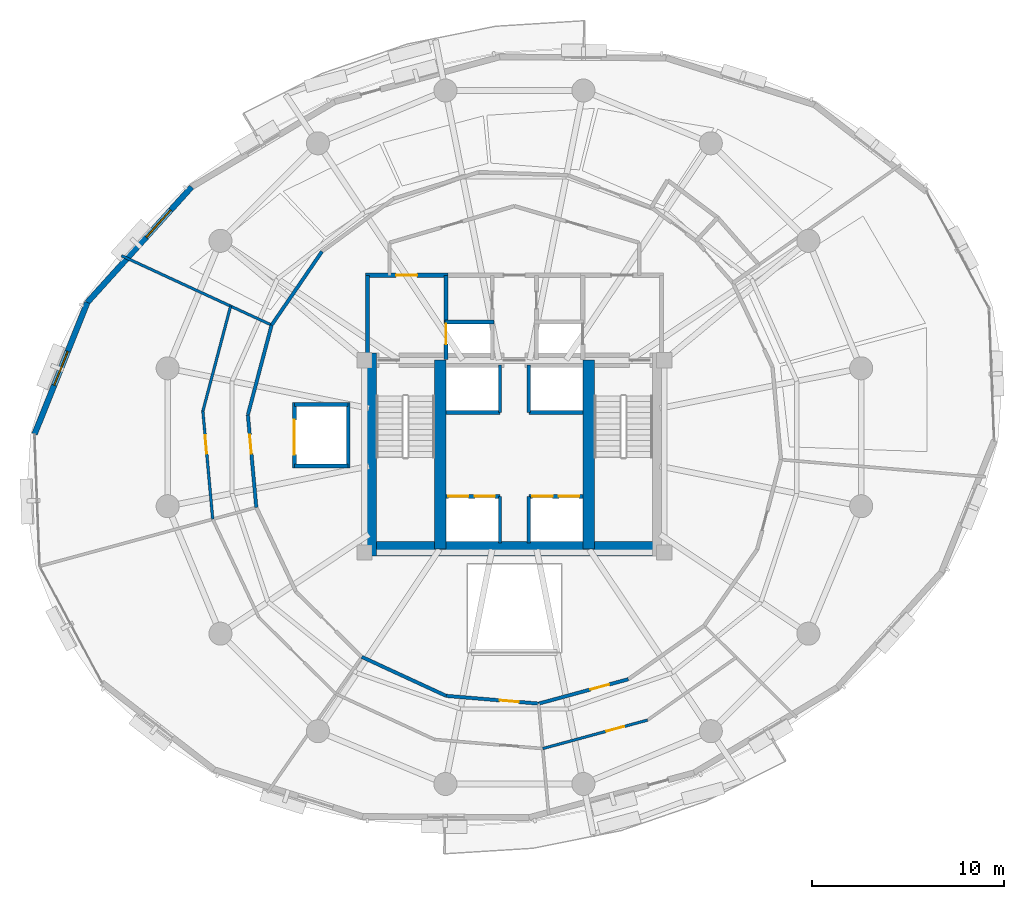
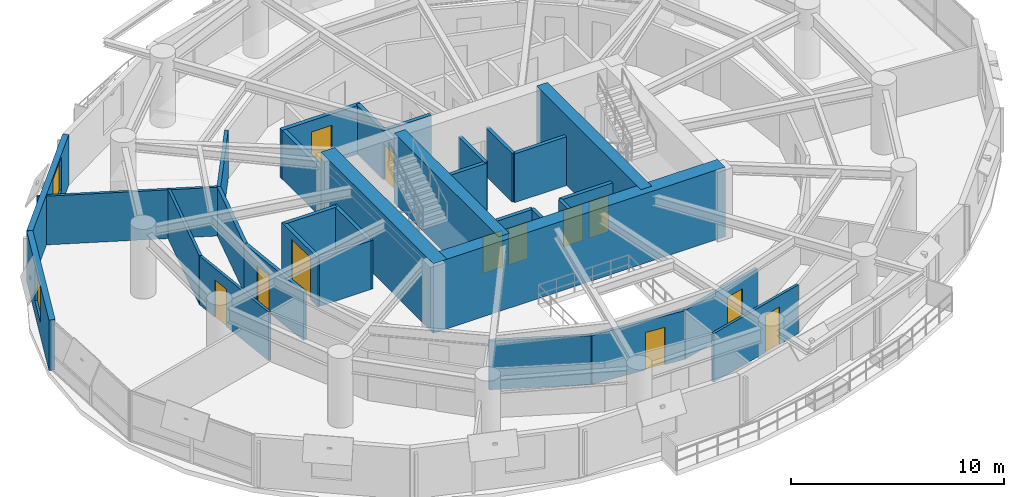
# One storey, part 10 of 15: 32 walls, 12 doors, 2 windows, 14 openings.
"""IFC4 building model written with IfcOpenShell, lengths in metres."""

import ifcopenshell
import ifcopenshell.guid

model = None  # the IFC model being written
_history = None  # IfcOwnerHistory: only IFC2X3 demands one
_inside = {}  # id of a spatial element -> (the spatial element, [elements in it])
_under = {}  # id of a project, library or spatial element -> (it, [spatial elements below it])
_declared = {}  # id of a project -> (the project, [libraries it declares])
_typed = {}  # id of a type object -> (the type object, [elements of that type])
_made_of = {}  # id of a material, layer set ... -> (it, [elements and type objects made of it])


def new_model(schema):
    """Start an empty IFC model of exactly this schema.

    Asked for "IFC4X3", IfcOpenShell would pick the latest addendum, in which some entities
    have other attributes; the version numbers below select the first issue.
    IFC2X3 requires an IfcOwnerHistory on every rooted entity: one is made here for all.
    """
    global model, _history
    if schema == "IFC4X3":
        model = ifcopenshell.file(schema_version=(4, 3, 0, 0))
    else:
        model = ifcopenshell.file(schema=schema)
    _inside.clear()
    _under.clear()
    _declared.clear()
    _typed.clear()
    _made_of.clear()
    _history = None
    if model.schema == "IFC2X3":
        org = make("IfcOrganization", Name="unknown")
        user = make(
            "IfcPersonAndOrganization",
            ThePerson=make("IfcPerson", FamilyName="unknown"),
            TheOrganization=org,
        )
        app = make(
            "IfcApplication",
            ApplicationDeveloper=org,
            Version="unknown",
            ApplicationFullName="unknown",
            ApplicationIdentifier="unknown",
        )
        _history = make(
            "IfcOwnerHistory",
            OwningUser=user,
            OwningApplication=app,
            ChangeAction="ADDED",
            CreationDate=0,
        )
    return model


def make(cls, **values):
    """One entity of the class cls with the attributes given. An attribute that is None is left unset."""
    return model.create_entity(
        cls, **{name: value for name, value in values.items() if value is not None}
    )


def rooted(cls, **values):
    """An entity with a GlobalId (a new one), such as an element, a storey or a relation."""
    return make(cls, GlobalId=ifcopenshell.guid.new(), OwnerHistory=_history, **values)


def si_unit(unit_type, name, prefix=None):
    """IfcSIUnit, for example si_unit("LENGTHUNIT", "METRE", prefix="MILLI")."""
    return make("IfcSIUnit", UnitType=unit_type, Prefix=prefix, Name=name)


def assignment(units):
    """IfcUnitAssignment: the units of a project."""
    return None if units is None else make("IfcUnitAssignment", Units=units)


def point(xyz):
    """IfcCartesianPoint."""
    return None if xyz is None else make("IfcCartesianPoint", Coordinates=xyz)


def direction(xyz):
    """IfcDirection."""
    return None if xyz is None else make("IfcDirection", DirectionRatios=xyz)


def frame(location, z_axis=None, x_axis=None):
    """IfcAxis2Placement3D, a coordinate frame: its origin and axes. An axis left out is left unset."""
    return make(
        "IfcAxis2Placement3D",
        Location=point(location),
        Axis=direction(z_axis),
        RefDirection=direction(x_axis),
    )


def frame_2d(location, x_axis=None):
    """IfcAxis2Placement2D, a coordinate frame in the plane: its origin and x axis."""
    return make(
        "IfcAxis2Placement2D", Location=point(location), RefDirection=direction(x_axis)
    )


def origin():
    """The frame at (0, 0, 0) with its axes left unset."""
    return frame((0.0, 0.0, 0.0))


def place(relative_to, where):
    """IfcLocalPlacement: puts the frame where relative to a parent placement (None: the world)."""
    return make(
        "IfcLocalPlacement", PlacementRelTo=relative_to, RelativePlacement=where
    )


def context(
    kind, dimensions, precision=None, world=None, true_north=None, identifier=None
):
    """IfcGeometricRepresentationContext, for example the 3D "Model" context."""
    return make(
        "IfcGeometricRepresentationContext",
        ContextIdentifier=identifier,
        ContextType=kind,
        CoordinateSpaceDimension=dimensions,
        Precision=precision,
        WorldCoordinateSystem=world,
        TrueNorth=true_north,
    )


def subcontext(parent, identifier, kind, view, scale=None):
    """IfcGeometricRepresentationSubContext, for example "Body" below "Model"."""
    return make(
        "IfcGeometricRepresentationSubContext",
        ContextIdentifier=identifier,
        ContextType=kind,
        ParentContext=parent,
        TargetScale=scale,
        TargetView=view,
    )


def project(units=None, contexts=None):
    """IfcProject with its units and contexts."""
    return rooted(
        "IfcProject",
        Name="project",
        RepresentationContexts=contexts,
        UnitsInContext=assignment(units),
    )


def spatial(cls, under=None, at=None, **own):
    """A site, building, storey or space (cls), placed at a placement, below another one or the project."""
    s = rooted(cls, ObjectPlacement=at, **own)
    if under is not None:
        _under.setdefault(under.id(), (under, []))[1].append(s)
    return s


def profile(cls, at=None, kind="AREA", **sizes):
    """A parametric profile (cls). Its sizes go by their IFC names, for example OverallWidth=200.0."""
    return make(cls, ProfileType=kind, Position=at, **sizes)


def rectangle(**sizes):
    """IfcRectangleProfileDef."""
    return profile("IfcRectangleProfileDef", **sizes)


def extrude(swept, where, along, depth):
    """IfcExtrudedAreaSolid: the profile swept, set in the frame where, extruded along a direction by depth."""
    return make(
        "IfcExtrudedAreaSolid",
        SweptArea=swept,
        Position=where,
        ExtrudedDirection=direction(along),
        Depth=depth,
    )


def shape(context_of_items, identifier, shape_type, items):
    """IfcShapeRepresentation: the items that make up one representation, for example the "Body"."""
    return make(
        "IfcShapeRepresentation",
        ContextOfItems=context_of_items,
        RepresentationIdentifier=identifier,
        RepresentationType=shape_type,
        Items=items,
    )


def material(Name=None, Category=None):
    """IfcMaterial."""
    return make("IfcMaterial", Name=Name, Category=Category)


def layer(
    of_material, thickness, ventilated=None, Name=None, Category=None, Priority=None
):
    """IfcMaterialLayer: one layer of a wall or slab, of a material (None: an air gap)."""
    return make(
        "IfcMaterialLayer",
        Material=of_material,
        LayerThickness=thickness,
        IsVentilated=ventilated,
        Name=Name,
        Category=Category,
        Priority=Priority,
    )


def layer_set(layers, Name=None):
    """IfcMaterialLayerSet."""
    return make("IfcMaterialLayerSet", MaterialLayers=layers, LayerSetName=Name)


def made_of(thing, what):
    """Note that an element or type object is made of a material, layer set ...; save() writes the relation."""
    if what is not None:
        _made_of.setdefault(what.id(), (what, []))[1].append(thing)
    return thing


def type_object(cls, material=None, **own):
    """A type object (cls), such as IfcWallType, which elements share."""
    return made_of(rooted(cls, **own), material)


def element(
    cls,
    number,
    at=None,
    inside=None,
    cuts=None,
    type_object=None,
    material=None,
    context=None,
    identifier="Body",
    shape_type=None,
    held_by="IfcProductDefinitionShape",
    body=None,
    shapes=None,
    **own,
):
    """One element of the class cls, such as IfcWall. Its Tag is "e" and its number.

    at: its placement. inside: the storey or other place that contains it. cuts: it is an
    opening in that element (IfcRelVoidsElement). A single representation is given by context,
    identifier, shape_type and body (its items); several are given by shapes. held_by: the class
    of the entity that holds the representations. save() writes the other relations.
    """
    e = rooted(cls, Tag="e%d" % number, ObjectPlacement=at, **own)
    if body is not None:
        shapes = [shape(context, identifier, shape_type, body)]
    if shapes is not None:
        e.Representation = make(held_by, Representations=shapes)
    if inside is not None:
        _inside.setdefault(inside.id(), (inside, []))[1].append(e)
    if cuts is not None:
        rooted(
            "IfcRelVoidsElement", RelatingBuildingElement=cuts, RelatedOpeningElement=e
        )
    if type_object is not None:
        _typed.setdefault(type_object.id(), (type_object, []))[1].append(e)
    return made_of(e, material)


def fill(opening, filler):
    """IfcRelFillsElement: the door or window that sits in an opening."""
    return rooted(
        "IfcRelFillsElement",
        RelatingOpeningElement=opening,
        RelatedBuildingElement=filler,
    )


def aggregate(whole, parts):
    """IfcRelAggregates: a whole, such as a stair, and the parts it consists of."""
    return rooted("IfcRelAggregates", RelatingObject=whole, RelatedObjects=parts)


def save(model, path):
    """Write the relations noted so far, then the file.

    IfcRelAggregates (storeys below a building ...), IfcRelContainedInSpatialStructure (elements
    in a storey), IfcRelDefinesByType, IfcRelAssociatesMaterial and IfcRelDeclares: one each for
    every whole, place, type object, material and project.
    """
    for whole, parts in _under.values():
        aggregate(whole, parts)
    for where, things in _inside.values():
        rooted(
            "IfcRelContainedInSpatialStructure",
            RelatedElements=things,
            RelatingStructure=where,
        )
    for kind, things in _typed.values():
        rooted("IfcRelDefinesByType", RelatedObjects=things, RelatingType=kind)
    for what, things in _made_of.values():
        rooted("IfcRelAssociatesMaterial", RelatedObjects=things, RelatingMaterial=what)
    for by, libraries in _declared.values():
        rooted("IfcRelDeclares", RelatingContext=by, RelatedDefinitions=libraries)
    model.write(path)


model = new_model("IFC4")

# Units and contexts
model_context = context("Model", 3, precision=1e-05, world=origin(), true_north=direction((0.0, 1.0)))
body_context = subcontext(model_context, "Body", "Model", "MODEL_VIEW")
ifc_project = project(units=[si_unit("LENGTHUNIT", "METRE"), si_unit("AREAUNIT", "SQUARE_METRE"), si_unit("VOLUMEUNIT", "CUBIC_METRE"), si_unit("PLANEANGLEUNIT", "RADIAN"), si_unit("MASSUNIT", "GRAM", prefix="KILO"), si_unit("THERMODYNAMICTEMPERATUREUNIT", "KELVIN"), si_unit("POWERUNIT", "WATT")], contexts=[model_context])

# Site, building, storey
site_placement = place(None, origin())
site = spatial("IfcSite", under=ifc_project, at=site_placement, CompositionType="ELEMENT")
building_placement = place(site_placement, origin())
building = spatial("IfcBuilding", under=site, at=building_placement, Name="Ocrelia Relay Tower", CompositionType="ELEMENT")
storey_placement = place(building_placement, frame((0.0, 0.0, 97.800048828125)))
storey = spatial("IfcBuildingStorey", under=building, at=storey_placement, Name="L22", CompositionType="ELEMENT", Elevation=97.800048828125)

# Walls
ifc_material_1 = material(Name="Concrete C60/75", Category="concrete")
ifc_layer_1 = layer(ifc_material_1, 0.75, Name="Concrete C60/75")
ifc_layer_set_1 = layer_set([ifc_layer_1], Name="Concrete C60/75")
wall_type_1 = type_object("IfcWallType", Name="CW-CORE-750", PredefinedType="SHEAR", material=ifc_layer_set_1)
wall_1_placement = place(storey_placement, frame((26.072021484375, 20.18701171875, 0.0), z_axis=(0.0, 0.0, 1.0), x_axis=(1.0, 0.0, 0.0)))
element("IfcWall", 1, at=wall_1_placement, inside=storey, type_object=wall_type_1, Name="L22 Core Shear Wall S", PredefinedType="SHEAR", context=body_context, shape_type="SweptSolid", body=[
    extrude(rectangle(XDim=15.865966796875, YDim=0.75, at=frame_2d((7.93310546875, 0.0))), origin(), (0.0, 0.0, 1.0), 4.0),
])
wall_2_placement = place(storey_placement, frame((26.447021484375, 19.81201171875, 0.0), z_axis=(0.0, 0.0, 1.0), x_axis=(0.0, 1.0, 0.0)))
element("IfcWall", 2, at=wall_2_placement, inside=storey, type_object=wall_type_1, Name="L22 Core Shear Wall W", PredefinedType="SHEAR", context=body_context, shape_type="SweptSolid", body=[
    extrude(rectangle(XDim=10.575927734375, YDim=0.75, at=frame_2d((5.2880859375, 0.0))), origin(), (0.0, 0.0, 1.0), 4.0),
])
for number, where, z_axis, x_axis, name in (
    (3, (30.137939453125, 20.18701171875, 0.0), (0.0, 0.0, 1.0), (0.0, 1.0, 0.0), "L22 Core Shear Wall SPW"),
    (4, (37.8720703125, 20.18701171875, 0.0), (0.0, 0.0, 1.0), (0.0, 1.0, 0.0), "L22 Core Shear Wall SPE"),
):
    element("IfcWall", number, at=place(storey_placement, frame(where, z_axis=z_axis, x_axis=x_axis)), inside=storey, type_object=wall_type_1, Name=name, PredefinedType="SHEAR", context=body_context, shape_type="SweptSolid", body=[
        extrude(rectangle(XDim=9.825927734375, YDim=0.60009765625, at=frame_2d((4.9130859375, 0.0))), origin(), (0.0, 0.0, 1.0), 4.0),
    ])
ifc_material_2 = material(Name="Gypsum Fireboard Partition EI60", Category="gypsum")
ifc_layer_2 = layer(ifc_material_2, 0.179931640625, Name="Gypsum Fireboard Partition EI60")
ifc_layer_set_2 = layer_set([ifc_layer_2], Name="Gypsum Fireboard Partition EI60")
wall_type_2 = type_object("IfcWallType", Name="W-CORR-EI60-180", PredefinedType="PARTITIONING", material=ifc_layer_set_2)
wall_3_placement = place(storey_placement, frame((23.98681640625, 35.669677734375, 0.0), z_axis=(0.0, 0.0, 1.0), x_axis=(-0.564972304396, -0.825109868603, 0.0)))
element("IfcWall", 5, at=wall_3_placement, inside=storey, type_object=wall_type_2, Name="L22 Optical Switching Hall A Corridor Partition 5", PredefinedType="PARTITIONING", context=body_context, shape_type="SweptSolid", body=[
    extrude(rectangle(XDim=4.642822265625, YDim=0.179931640625, at=frame_2d((2.3212890625, 0.0))), origin(), (0.0, 0.0, 1.0), 2.800048828125),
])
wall_4_placement = place(storey_placement, frame((21.36376953125, 31.8388671875, 0.0), z_axis=(0.0, 0.0, 1.0), x_axis=(-0.255430312845, -0.966827469241, 0.0)))
element("IfcWall", 6, at=wall_4_placement, inside=storey, type_object=wall_type_2, Name="L22 Network Engineering Office A Corridor Partition 1", PredefinedType="PARTITIONING", context=body_context, shape_type="SweptSolid", body=[
    extrude(rectangle(XDim=4.83447265625, YDim=0.179931640625, at=frame_2d((2.417236328125, 0.0))), origin(), (0.0, 0.0, 1.0), 2.800048828125),
])

# Wall, opening, door
wall_5_placement = place(storey_placement, frame((20.12890625, 27.164794921875, 0.0), z_axis=(0.0, 0.0, 1.0), x_axis=(0.090599493513, -0.995887409186, 0.0)))
wall_5 = element("IfcWall", 7, at=wall_5_placement, inside=storey, type_object=wall_type_2, Name="L22 Network Engineering Office A Corridor Partition 2", PredefinedType="PARTITIONING", context=body_context, shape_type="SweptSolid", body=[
    extrude(rectangle(XDim=4.834228515625, YDim=0.179931640625, at=frame_2d((2.4169921875, 0.0))), origin(), (0.0, 0.0, 1.0), 2.800048828125),
])
opening_1_placement = place(wall_5_placement, frame((1.03369140625, 0.0, 0.0)))
opening_1 = element("IfcOpeningElement", 8, at=opening_1_placement, cuts=wall_5, Name="Opening D-RM100", PredefinedType="OPENING", context=body_context, shape_type="SweptSolid", body=[
    extrude(rectangle(XDim=1.0, YDim=2.14990234375, at=frame_2d((0.5, 1.074951171875))), frame((0.0, 0.10009765625, 0.0), z_axis=(0.0, -1.0, 0.0), x_axis=(1.0, 0.0, 0.0)), (0.0, 0.0, 1.0), 0.199951171875),
])
ifc_material_3 = material(Name="Acoustic oak veneer fire door", Category="wood")
door_type_1 = type_object("IfcDoorType", Name="DR-ROOM-FD60-1000", OperationType="NOTDEFINED", PredefinedType="DOOR", material=ifc_material_3)
door_1_placement = place(opening_1_placement, origin())
door_1 = element("IfcDoor", 9, at=door_1_placement, inside=storey, type_object=door_type_1, Name="L22 Network Engineering Office A Entrance Door", OperationType="SINGLE_SWING_LEFT", OverallHeight=2.14990234375, OverallWidth=1.0, PredefinedType="DOOR", context=body_context, shape_type="SweptSolid", body=[
    extrude(rectangle(XDim=1.0, YDim=2.14990234375, at=frame_2d((0.5, 1.074951171875))), frame((0.0, 0.02490234375, 0.0), z_axis=(0.0, -1.0, 0.0), x_axis=(1.0, 0.0, 0.0)), (0.0, 0.0, 1.0), 0.050048828125),
])
fill(opening_1, door_1)

# Wall
wall_6_placement = place(storey_placement, frame((26.0556640625, 14.569580078125, 0.0), z_axis=(0.0, 0.0, 1.0), x_axis=(0.907770094926, -0.419468061666, 0.0)))
element("IfcWall", 10, at=wall_6_placement, inside=storey, type_object=wall_type_2, Name="L22 Peering Systems Office C Corridor Partition 1", PredefinedType="PARTITIONING", context=body_context, shape_type="SweptSolid", body=[
    extrude(rectangle(XDim=4.834228515625, YDim=0.179931640625, at=frame_2d((2.4169921875, 0.0))), origin(), (0.0, 0.0, 1.0), 2.800048828125),
])

# Wall, opening, door
wall_7_placement = place(storey_placement, frame((30.444091796875, 12.541748046875, 0.0), z_axis=(0.0, 0.0, 1.0), x_axis=(0.996492970022, -0.083676524164, 0.0)))
wall_7 = element("IfcWall", 11, at=wall_7_placement, inside=storey, type_object=wall_type_2, Name="L22 Peering Systems Office C Corridor Partition 2", PredefinedType="PARTITIONING", context=body_context, shape_type="SweptSolid", body=[
    extrude(rectangle(XDim=4.83447265625, YDim=0.179931640625, at=frame_2d((2.417236328125, 0.0))), origin(), (0.0, 0.0, 1.0), 2.800048828125),
])
opening_2_placement = place(wall_7_placement, frame((2.80078125, 0.0, 0.0)))
opening_2 = element("IfcOpeningElement", 12, at=opening_2_placement, cuts=wall_7, Name="Opening D-RM100", PredefinedType="OPENING", context=body_context, shape_type="SweptSolid", body=[
    extrude(rectangle(XDim=1.0, YDim=2.14990234375, at=frame_2d((0.5, 1.074951171875))), frame((0.0, 0.10009765625, 0.0), z_axis=(0.0, -1.0, 0.0), x_axis=(1.0, 0.0, 0.0)), (0.0, 0.0, 1.0), 0.199951171875),
])
door_2_placement = place(opening_2_placement, origin())
door_2 = element("IfcDoor", 13, at=door_2_placement, inside=storey, type_object=door_type_1, Name="L22 Peering Systems Office C Entrance Door", OperationType="SINGLE_SWING_LEFT", OverallHeight=2.14990234375, OverallWidth=1.0, PredefinedType="DOOR", context=body_context, shape_type="SweptSolid", body=[
    extrude(rectangle(XDim=1.0, YDim=2.14990234375, at=frame_2d((0.5, 1.074951171875))), frame((0.0, 0.02490234375, 0.0), z_axis=(0.0, -1.0, 0.0), x_axis=(1.0, 0.0, 0.0)), (0.0, 0.0, 1.0), 0.050048828125),
])
fill(opening_2, door_2)

wall_8_placement = place(storey_placement, frame((35.26171875, 12.13720703125, 0.0), z_axis=(0.0, 0.0, 1.0), x_axis=(0.965010471878, 0.262211344463, 0.0)))
wall_8 = element("IfcWall", 14, at=wall_8_placement, inside=storey, type_object=wall_type_2, Name="L22 Protocol Testing Lab Corridor Partition 1", PredefinedType="PARTITIONING", context=body_context, shape_type="SweptSolid", body=[
    extrude(rectangle(XDim=4.834228515625, YDim=0.179931640625, at=frame_2d((2.4169921875, 0.0))), origin(), (0.0, 0.0, 1.0), 2.800048828125),
])
opening_3_placement = place(wall_8_placement, frame((2.80078125, 0.0, 0.0)))
opening_3 = element("IfcOpeningElement", 15, at=opening_3_placement, cuts=wall_8, Name="Opening D-RM100", PredefinedType="OPENING", context=body_context, shape_type="SweptSolid", body=[
    extrude(rectangle(XDim=1.0, YDim=2.14990234375, at=frame_2d((0.5, 1.074951171875))), frame((0.0, 0.10009765625, 0.0), z_axis=(0.0, -1.0, 0.0), x_axis=(1.0, 0.0, 0.0)), (0.0, 0.0, 1.0), 0.199951171875),
])
door_3_placement = place(opening_3_placement, origin())
door_3 = element("IfcDoor", 16, at=door_3_placement, inside=storey, type_object=door_type_1, Name="L22 Protocol Testing Lab Entrance Door", OperationType="SINGLE_SWING_LEFT", OverallHeight=2.14990234375, OverallWidth=1.0, PredefinedType="DOOR", context=body_context, shape_type="SweptSolid", body=[
    extrude(rectangle(XDim=1.0, YDim=2.14990234375, at=frame_2d((0.5, 1.074951171875))), frame((0.0, 0.02490234375, 0.0), z_axis=(0.0, -1.0, 0.0), x_axis=(1.0, 0.0, 0.0)), (0.0, 0.0, 1.0), 0.050048828125),
])
fill(opening_3, door_3)

# Wall, opening, window
ifc_material_4 = material(Name="Precast concrete C40/50 with oxide terracotta", Category="masonry")
ifc_layer_3 = layer(ifc_material_4, 0.300048828125, Name="Precast concrete C40/50 with oxide terracotta")
ifc_layer_set_3 = layer_set([ifc_layer_3], Name="Precast concrete C40/50 with oxide terracotta")
wall_type_3 = type_object("IfcWallType", Name="W-EXT-TERR-300", PredefinedType="SOLIDWALL", material=ifc_layer_set_3)
wall_9_placement = place(storey_placement, frame((17.197509765625, 39.0244140625, 0.0), z_axis=(0.0, 0.0, 1.0), x_axis=(-0.670180169564, -0.742198450768, 0.0)))
wall_9 = element("IfcWall", 17, at=wall_9_placement, inside=storey, type_object=wall_type_3, Name="L22 Oxide Terracotta Facade Wall 07", PredefinedType="SOLIDWALL", context=body_context, shape_type="SweptSolid", body=[
    extrude(rectangle(XDim=8.09521484375, YDim=0.300048828125, at=frame_2d((4.047607421875, 0.0))), origin(), (0.0, 0.0, 1.0), 2.89990234375),
])
opening_4_placement = place(wall_9_placement, frame((1.614990234375, 0.0, 0.800048828125)))
opening_4 = element("IfcOpeningElement", 18, at=opening_4_placement, cuts=wall_9, Name="Opening W-06", PredefinedType="OPENING", context=body_context, shape_type="SweptSolid", body=[
    extrude(rectangle(XDim=1.89990234375, YDim=1.949951171875, at=frame_2d((0.949951171875, 0.97509765625))), frame((0.0, 0.16015625, 0.0), z_axis=(0.0, -1.0, 0.0), x_axis=(1.0, 0.0, 0.0)), (0.0, 0.0, 1.0), 0.320068359375),
])
ifc_material_5 = material(Name="Clear double-glazed low-E glass", Category="glass")
window_type = type_object("IfcWindowType", Name="WIN-Z2-1900x2100", PartitioningType="DOUBLE_PANEL_VERTICAL", PredefinedType="WINDOW", material=ifc_material_5)
window_1_placement = place(opening_4_placement, origin())
window_1 = element("IfcWindow", 19, at=window_1_placement, inside=storey, type_object=window_type, Name="L22 Facade Module Window 07", OverallHeight=1.949951171875, OverallWidth=1.89990234375, PartitioningType="SINGLE_PANEL", PredefinedType="WINDOW", context=body_context, shape_type="SweptSolid", body=[
    extrude(rectangle(XDim=1.89990234375, YDim=1.949951171875, at=frame_2d((0.949951171875, 0.97509765625))), frame((0.0, 0.030029296875, 0.0), z_axis=(0.0, -1.0, 0.0), x_axis=(1.0, 0.0, 0.0)), (0.0, 0.0, 1.0), 0.06005859375),
])
fill(opening_4, window_1)

wall_10_placement = place(storey_placement, frame((11.772216796875, 33.01611328125, 0.0), z_axis=(0.0, 0.0, 1.0), x_axis=(-0.371704219928, -0.928351212035, 0.0)))
wall_10 = element("IfcWall", 20, at=wall_10_placement, inside=storey, type_object=wall_type_3, Name="L22 Oxide Terracotta Facade Wall 08", PredefinedType="SOLIDWALL", context=body_context, shape_type="SweptSolid", body=[
    extrude(rectangle(XDim=7.38330078125, YDim=0.300048828125, at=frame_2d((3.691650390625, 0.0))), origin(), (0.0, 0.0, 1.0), 2.89990234375),
])
opening_5_placement = place(wall_10_placement, frame((2.741943359375, 0.0, 0.800048828125)))
opening_5 = element("IfcOpeningElement", 21, at=opening_5_placement, cuts=wall_10, Name="Opening W-06", PredefinedType="OPENING", context=body_context, shape_type="SweptSolid", body=[
    extrude(rectangle(XDim=1.89990234375, YDim=1.949951171875, at=frame_2d((0.949951171875, 0.97509765625))), frame((0.0, 0.16015625, 0.0), z_axis=(0.0, -1.0, 0.0), x_axis=(1.0, 0.0, 0.0)), (0.0, 0.0, 1.0), 0.320068359375),
])
window_2_placement = place(opening_5_placement, origin())
window_2 = element("IfcWindow", 22, at=window_2_placement, inside=storey, type_object=window_type, Name="L22 Facade Module Window 08", OverallHeight=1.949951171875, OverallWidth=1.89990234375, PartitioningType="SINGLE_PANEL", PredefinedType="WINDOW", context=body_context, shape_type="SweptSolid", body=[
    extrude(rectangle(XDim=1.89990234375, YDim=1.949951171875, at=frame_2d((0.949951171875, 0.97509765625))), frame((0.0, 0.030029296875, 0.0), z_axis=(0.0, -1.0, 0.0), x_axis=(1.0, 0.0, 0.0)), (0.0, 0.0, 1.0), 0.06005859375),
])
fill(opening_5, window_2)

# Wall
ifc_material_6 = material(Name="Concrete C50/60", Category="concrete")
ifc_layer_4 = layer(ifc_material_6, 0.219970703125, Name="Concrete C50/60")
ifc_layer_set_4 = layer_set([ifc_layer_4], Name="Concrete C50/60")
wall_type_4 = type_object("IfcWallType", Name="W-FFL-EI120-220", PredefinedType="SOLIDWALL", material=ifc_layer_set_4)
wall_11_placement = place(storey_placement, frame((26.35009765625, 30.050048828125, 0.0), z_axis=(0.0, 0.0, 1.0), x_axis=(0.0, 1.0, 0.0)))
element("IfcWall", 23, at=wall_11_placement, inside=storey, type_object=wall_type_4, Name="L22 W Fire Service Lift Lobby West Wall", PredefinedType="SOLIDWALL", context=body_context, shape_type="SweptSolid", body=[
    extrude(rectangle(XDim=4.3798828125, YDim=0.219970703125, at=frame_2d((2.18994140625, 0.0))), origin(), (0.0, 0.0, 1.0), 2.800048828125),
])

# Wall, opening, door
wall_12_placement = place(storey_placement, frame((30.43994140625, 30.050048828125, 0.0), z_axis=(0.0, 0.0, 1.0), x_axis=(0.0, 1.0, 0.0)))
wall_12 = element("IfcWall", 24, at=wall_12_placement, inside=storey, type_object=wall_type_4, Name="L22 W Fire Service Lift Lobby East Wall", PredefinedType="SOLIDWALL", context=body_context, shape_type="SweptSolid", body=[
    extrude(rectangle(XDim=4.3798828125, YDim=0.219970703125, at=frame_2d((2.18994140625, 0.0))), origin(), (0.0, 0.0, 1.0), 2.800048828125),
])
opening_6_placement = place(wall_12_placement, frame((0.800048828125, 0.0, 0.0)))
opening_6 = element("IfcOpeningElement", 25, at=opening_6_placement, cuts=wall_12, Name="Opening LD-FFL1", PredefinedType="OPENING", context=body_context, shape_type="SweptSolid", body=[
    extrude(rectangle(XDim=1.050048828125, YDim=2.10009765625, at=frame_2d((0.52490234375, 1.050048828125))), frame((0.0, 0.1201171875, 0.0), z_axis=(0.0, -1.0, 0.0), x_axis=(1.0, 0.0, 0.0)), (0.0, 0.0, 1.0), 0.239990234375),
])
ifc_material_7 = material(Name="Brushed stainless steel S355 lift landing door", Category="steel")
door_type_2 = type_object("IfcDoorType", Name="DR-LIFT-LAND-1050", OperationType="DOUBLE_DOOR_SLIDING", PredefinedType="USERDEFINED", material=ifc_material_7)
door_4_placement = place(opening_6_placement, origin())
door_4 = element("IfcDoor", 26, at=door_4_placement, inside=storey, type_object=door_type_2, Name="L22 Firefighting Lift FFL1 Sliding Landing Door", ObjectType="LANDING DOOR", OperationType="DOUBLE_DOOR_SLIDING", OverallHeight=2.10009765625, OverallWidth=1.050048828125, PredefinedType="USERDEFINED", context=body_context, shape_type="SweptSolid", body=[
    extrude(rectangle(XDim=1.050048828125, YDim=2.10009765625, at=frame_2d((0.52490234375, 1.050048828125))), frame((0.0, 0.02490234375, 0.0), z_axis=(0.0, -1.0, 0.0), x_axis=(1.0, 0.0, 0.0)), (0.0, 0.0, 1.0), 0.050048828125),
])
fill(opening_6, door_4)

wall_13_placement = place(storey_placement, frame((26.239990234375, 34.429931640625, 0.0), z_axis=(0.0, 0.0, 1.0), x_axis=(1.0, 0.0, 0.0)))
wall_13 = element("IfcWall", 27, at=wall_13_placement, inside=storey, type_object=wall_type_4, Name="L22 W Fire Service Lift Lobby North Wall", PredefinedType="SOLIDWALL", context=body_context, shape_type="SweptSolid", body=[
    extrude(rectangle(XDim=4.31005859375, YDim=0.219970703125, at=frame_2d((2.155029296875, 0.0))), origin(), (0.0, 0.0, 1.0), 2.800048828125),
])
opening_7_placement = place(wall_13_placement, frame((1.60009765625, 0.0, 0.0)))
opening_7 = element("IfcOpeningElement", 28, at=opening_7_placement, cuts=wall_13, Name="Opening D-FD60", PredefinedType="OPENING", context=body_context, shape_type="SweptSolid", body=[
    extrude(rectangle(XDim=1.10009765625, YDim=2.14990234375, at=frame_2d((0.550048828125, 1.074951171875))), frame((0.0, 0.1201171875, 0.0), z_axis=(0.0, -1.0, 0.0), x_axis=(1.0, 0.0, 0.0)), (0.0, 0.0, 1.0), 0.239990234375),
])
ifc_material_8 = material(Name="Timber-core 60-min acoustic fire door", Category="wood")
door_type_3 = type_object("IfcDoorType", Name="DR-LOBBY-FD60-1100", OperationType="NOTDEFINED", PredefinedType="DOOR", material=ifc_material_8)
door_5_placement = place(opening_7_placement, origin())
door_5 = element("IfcDoor", 29, at=door_5_placement, inside=storey, type_object=door_type_3, Name="L22 W Fire Service Lift Lobby Exit Door", OperationType="SINGLE_SWING_LEFT", OverallHeight=2.14990234375, OverallWidth=1.10009765625, PredefinedType="DOOR", context=body_context, shape_type="SweptSolid", body=[
    extrude(rectangle(XDim=1.10009765625, YDim=2.14990234375, at=frame_2d((0.550048828125, 1.074951171875))), frame((0.0, 0.02490234375, 0.0), z_axis=(0.0, -1.0, 0.0), x_axis=(1.0, 0.0, 0.0)), (0.0, 0.0, 1.0), 0.050048828125),
])
fill(opening_7, door_5)

# Walls
ifc_material_9 = material(Name="Acoustic Fireboard Partition EI60", Category="gypsum")
ifc_layer_5 = layer(ifc_material_9, 0.139892578125, Name="Acoustic Fireboard Partition EI60")
ifc_layer_set_5 = layer_set([ifc_layer_5], Name="Acoustic Fireboard Partition EI60")
wall_type_5 = type_object("IfcWallType", Name="W-PART-140", PredefinedType="PARTITIONING", material=ifc_layer_set_5)
wall_14_placement = place(storey_placement, frame((21.36376953125, 31.8388671875, 0.0), z_axis=(0.0, 0.0, 1.0), x_axis=(-0.907785748515, 0.419434184101, 0.0)))
element("IfcWall", 30, at=wall_14_placement, inside=storey, type_object=wall_type_5, Name="L22 Optical Switching Hall A Radial Partition", PredefinedType="PARTITIONING", context=body_context, shape_type="SweptSolid", body=[
    extrude(rectangle(XDim=8.604736328125, YDim=0.139892578125, at=frame_2d((4.30224609375, 0.0))), origin(), (0.0, 0.0, 1.0), 2.800048828125),
])
wall_15_placement = place(storey_placement, frame((19.23046875, 32.824462890625, 0.0), z_axis=(0.0, 0.0, 1.0), x_axis=(-0.255435320905, -0.966826146127, 0.0)))
element("IfcWall", 31, at=wall_15_placement, inside=storey, type_object=wall_type_5, Name="L22 Perimeter Network Engineering Office A Mid-Ring Partition 1", PredefinedType="PARTITIONING", context=body_context, shape_type="SweptSolid", body=[
    extrude(rectangle(XDim=5.650634765625, YDim=0.139892578125, at=frame_2d((2.8251953125, 0.0))), origin(), (0.0, 0.0, 1.0), 2.800048828125),
])

# Wall, opening, door
wall_16_placement = place(storey_placement, frame((17.787109375, 27.361328125, 0.0), z_axis=(0.0, 0.0, 1.0), x_axis=(0.090648721683, -0.995882929494, 0.0)))
wall_16 = element("IfcWall", 32, at=wall_16_placement, inside=storey, type_object=wall_type_5, Name="L22 Perimeter Network Engineering Office A Mid-Ring Partition 2", PredefinedType="PARTITIONING", context=body_context, shape_type="SweptSolid", body=[
    extrude(rectangle(XDim=5.650390625, YDim=0.139892578125, at=frame_2d((2.8251953125, 0.0))), origin(), (0.0, 0.0, 1.0), 2.800048828125),
])
opening_8_placement = place(wall_16_placement, frame((1.26513671875, 0.0, 0.0)))
opening_8 = element("IfcOpeningElement", 33, at=opening_8_placement, cuts=wall_16, Name="Opening D-RM95", PredefinedType="OPENING", context=body_context, shape_type="SweptSolid", body=[
    extrude(rectangle(XDim=0.949951171875, YDim=2.14990234375, at=frame_2d((0.47509765625, 1.074951171875))), frame((0.0, 0.080078125, 0.0), z_axis=(0.0, -1.0, 0.0), x_axis=(1.0, 0.0, 0.0)), (0.0, 0.0, 1.0), 0.159912109375),
])
door_type_4 = type_object("IfcDoorType", Name="DR-ROOM-950", OperationType="NOTDEFINED", PredefinedType="DOOR", material=ifc_material_3)
door_6_placement = place(opening_8_placement, origin())
door_6 = element("IfcDoor", 34, at=door_6_placement, inside=storey, type_object=door_type_4, Name="L22 Perimeter Network Engineering Office A Connecting Door", OperationType="SINGLE_SWING_RIGHT", OverallHeight=2.14990234375, OverallWidth=0.949951171875, PredefinedType="DOOR", context=body_context, shape_type="SweptSolid", body=[
    extrude(rectangle(XDim=0.949951171875, YDim=2.14990234375, at=frame_2d((0.47509765625, 1.074951171875))), frame((0.0, 0.02490234375, 0.0), z_axis=(0.0, -1.0, 0.0), x_axis=(1.0, 0.0, 0.0)), (0.0, 0.0, 1.0), 0.050048828125),
])
fill(opening_8, door_6)

wall_17_placement = place(storey_placement, frame((35.474609375, 9.797119140625, 0.0), z_axis=(0.0, 0.0, 1.0), x_axis=(0.96501961214, 0.262177703446, 0.0)))
wall_17 = element("IfcWall", 35, at=wall_17_placement, inside=storey, type_object=wall_type_5, Name="L22 Perimeter Protocol Testing Lab Mid-Ring Partition 1", PredefinedType="PARTITIONING", context=body_context, shape_type="SweptSolid", body=[
    extrude(rectangle(XDim=5.650634765625, YDim=0.139892578125, at=frame_2d((2.8251953125, 0.0))), origin(), (0.0, 0.0, 1.0), 2.800048828125),
])
opening_9_placement = place(wall_17_placement, frame((3.435302734375, 0.0, 0.0)))
opening_9 = element("IfcOpeningElement", 36, at=opening_9_placement, cuts=wall_17, Name="Opening D-RM95", PredefinedType="OPENING", context=body_context, shape_type="SweptSolid", body=[
    extrude(rectangle(XDim=0.949951171875, YDim=2.14990234375, at=frame_2d((0.47509765625, 1.074951171875))), frame((0.0, 0.080078125, 0.0), z_axis=(0.0, -1.0, 0.0), x_axis=(1.0, 0.0, 0.0)), (0.0, 0.0, 1.0), 0.159912109375),
])
door_7_placement = place(opening_9_placement, origin())
door_7 = element("IfcDoor", 37, at=door_7_placement, inside=storey, type_object=door_type_4, Name="L22 Perimeter Protocol Testing Lab Connecting Door", OperationType="SINGLE_SWING_RIGHT", OverallHeight=2.14990234375, OverallWidth=0.949951171875, PredefinedType="DOOR", context=body_context, shape_type="SweptSolid", body=[
    extrude(rectangle(XDim=0.949951171875, YDim=2.14990234375, at=frame_2d((0.47509765625, 1.074951171875))), frame((0.0, 0.02490234375, 0.0), z_axis=(0.0, -1.0, 0.0), x_axis=(1.0, 0.0, 0.0)), (0.0, 0.0, 1.0), 0.050048828125),
])
fill(opening_9, door_7)

# Wall
ifc_layer_6 = layer(ifc_material_6, 0.199951171875, Name="Concrete C50/60")
ifc_layer_set_6 = layer_set([ifc_layer_6], Name="Concrete C50/60")
wall_type_6 = type_object("IfcWallType", Name="W-SHAFT-EI120-200", PredefinedType="SOLIDWALL", material=ifc_layer_set_6)
wall_18_placement = place(storey_placement, frame((30.39990234375, 32.0, 0.0), z_axis=(0.0, 0.0, 1.0), x_axis=(1.0, 0.0, 0.0)))
element("IfcWall", 38, at=wall_18_placement, inside=storey, type_object=wall_type_6, Name="L22 FFL1 Hoistway North Wall", PredefinedType="SOLIDWALL", context=body_context, shape_type="SweptSolid", body=[
    extrude(rectangle(XDim=2.550048828125, YDim=0.199951171875, at=frame_2d((1.27490234375, 0.0))), origin(), (0.0, 0.0, 1.0), 2.800048828125),
])

# Wall, openings, doors
wall_19_placement = place(storey_placement, frame((30.43994140625, 22.919921875, 0.0), z_axis=(0.0, 0.0, 1.0), x_axis=(1.0, 0.0, 0.0)))
wall_19 = element("IfcWall", 39, at=wall_19_placement, inside=storey, type_object=wall_type_6, Name="L22 Low-Rise Lift Hoistway Wall W", PredefinedType="SOLIDWALL", context=body_context, shape_type="SweptSolid", body=[
    extrude(rectangle(XDim=2.81005859375, YDim=0.199951171875, at=frame_2d((1.405029296875, 0.0))), origin(), (0.0, 0.0, 1.0), 2.800048828125),
])
opening_10_placement = place(wall_19_placement, frame((0.1201171875, 0.0, 0.0)))
opening_10 = element("IfcOpeningElement", 40, at=opening_10_placement, cuts=wall_19, Name="Opening LD-PL1", PredefinedType="OPENING", context=body_context, shape_type="SweptSolid", body=[
    extrude(rectangle(XDim=1.050048828125, YDim=2.10009765625, at=frame_2d((0.52490234375, 1.050048828125))), frame((0.0, 0.10986328125, 0.0), z_axis=(0.0, -1.0, 0.0), x_axis=(1.0, 0.0, 0.0)), (0.0, 0.0, 1.0), 0.219970703125),
])
opening_11_placement = place(wall_19_placement, frame((1.5, 0.0, 0.0)))
opening_11 = element("IfcOpeningElement", 41, at=opening_11_placement, cuts=wall_19, Name="Opening LD-PL2", PredefinedType="OPENING", context=body_context, shape_type="SweptSolid", body=[
    extrude(rectangle(XDim=1.050048828125, YDim=2.10009765625, at=frame_2d((0.52490234375, 1.050048828125))), frame((0.0, 0.10986328125, 0.0), z_axis=(0.0, -1.0, 0.0), x_axis=(1.0, 0.0, 0.0)), (0.0, 0.0, 1.0), 0.219970703125),
])
door_8_placement = place(opening_10_placement, origin())
door_8 = element("IfcDoor", 42, at=door_8_placement, inside=storey, type_object=door_type_2, Name="L22 Passenger Lift PL1 Sliding Landing Door", ObjectType="LANDING DOOR", OperationType="DOUBLE_DOOR_SLIDING", OverallHeight=2.10009765625, OverallWidth=1.050048828125, PredefinedType="USERDEFINED", context=body_context, shape_type="SweptSolid", body=[
    extrude(rectangle(XDim=1.050048828125, YDim=2.10009765625, at=frame_2d((0.52490234375, 1.050048828125))), frame((0.0, 0.02490234375, 0.0), z_axis=(0.0, -1.0, 0.0), x_axis=(1.0, 0.0, 0.0)), (0.0, 0.0, 1.0), 0.050048828125),
])
fill(opening_10, door_8)
door_9_placement = place(opening_11_placement, origin())
door_9 = element("IfcDoor", 43, at=door_9_placement, inside=storey, type_object=door_type_2, Name="L22 Passenger Lift PL2 Sliding Landing Door", ObjectType="LANDING DOOR", OperationType="DOUBLE_DOOR_SLIDING", OverallHeight=2.10009765625, OverallWidth=1.050048828125, PredefinedType="USERDEFINED", context=body_context, shape_type="SweptSolid", body=[
    extrude(rectangle(XDim=1.050048828125, YDim=2.10009765625, at=frame_2d((0.52490234375, 1.050048828125))), frame((0.0, 0.02490234375, 0.0), z_axis=(0.0, -1.0, 0.0), x_axis=(1.0, 0.0, 0.0)), (0.0, 0.0, 1.0), 0.050048828125),
])
fill(opening_11, door_9)

# Wall
wall_20_placement = place(storey_placement, frame((33.25, 20.5, 0.0), z_axis=(0.0, 0.0, 1.0), x_axis=(0.0, 1.0, 0.0)))
element("IfcWall", 44, at=wall_20_placement, inside=storey, type_object=wall_type_6, Name="L22 Low-Rise Lift Throat Wall W", PredefinedType="SOLIDWALL", context=body_context, shape_type="SweptSolid", body=[
    extrude(rectangle(XDim=2.419921875, YDim=0.179931640625, at=frame_2d((1.2099609375, 0.0))), origin(), (0.0, 0.0, 1.0), 2.800048828125),
])

# Wall, openings, doors
wall_21_placement = place(storey_placement, frame((34.75, 22.919921875, 0.0), z_axis=(0.0, 0.0, 1.0), x_axis=(1.0, 0.0, 0.0)))
wall_21 = element("IfcWall", 45, at=wall_21_placement, inside=storey, type_object=wall_type_6, Name="L22 Low-Rise Lift Hoistway Wall E", PredefinedType="SOLIDWALL", context=body_context, shape_type="SweptSolid", body=[
    extrude(rectangle(XDim=2.81005859375, YDim=0.199951171875, at=frame_2d((1.405029296875, 0.0))), origin(), (0.0, 0.0, 1.0), 2.800048828125),
])
opening_12_placement = place(wall_21_placement, frame((0.18994140625, 0.0, 0.0)))
opening_12 = element("IfcOpeningElement", 46, at=opening_12_placement, cuts=wall_21, Name="Opening LD-PL3", PredefinedType="OPENING", context=body_context, shape_type="SweptSolid", body=[
    extrude(rectangle(XDim=1.050048828125, YDim=2.10009765625, at=frame_2d((0.52490234375, 1.050048828125))), frame((0.0, 0.10986328125, 0.0), z_axis=(0.0, -1.0, 0.0), x_axis=(1.0, 0.0, 0.0)), (0.0, 0.0, 1.0), 0.219970703125),
])
opening_13_placement = place(wall_21_placement, frame((1.570068359375, 0.0, 0.0)))
opening_13 = element("IfcOpeningElement", 47, at=opening_13_placement, cuts=wall_21, Name="Opening LD-PL4", PredefinedType="OPENING", context=body_context, shape_type="SweptSolid", body=[
    extrude(rectangle(XDim=1.050048828125, YDim=2.10009765625, at=frame_2d((0.52490234375, 1.050048828125))), frame((0.0, 0.10986328125, 0.0), z_axis=(0.0, -1.0, 0.0), x_axis=(1.0, 0.0, 0.0)), (0.0, 0.0, 1.0), 0.219970703125),
])
door_10_placement = place(opening_12_placement, origin())
door_10 = element("IfcDoor", 48, at=door_10_placement, inside=storey, type_object=door_type_2, Name="L22 Passenger Lift PL3 Sliding Landing Door", ObjectType="LANDING DOOR", OperationType="DOUBLE_DOOR_SLIDING", OverallHeight=2.10009765625, OverallWidth=1.050048828125, PredefinedType="USERDEFINED", context=body_context, shape_type="SweptSolid", body=[
    extrude(rectangle(XDim=1.050048828125, YDim=2.10009765625, at=frame_2d((0.52490234375, 1.050048828125))), frame((0.0, 0.02490234375, 0.0), z_axis=(0.0, -1.0, 0.0), x_axis=(1.0, 0.0, 0.0)), (0.0, 0.0, 1.0), 0.050048828125),
])
fill(opening_12, door_10)
door_11_placement = place(opening_13_placement, origin())
door_11 = element("IfcDoor", 49, at=door_11_placement, inside=storey, type_object=door_type_2, Name="L22 Passenger Lift PL4 Sliding Landing Door", ObjectType="LANDING DOOR", OperationType="DOUBLE_DOOR_SLIDING", OverallHeight=2.10009765625, OverallWidth=1.050048828125, PredefinedType="USERDEFINED", context=body_context, shape_type="SweptSolid", body=[
    extrude(rectangle(XDim=1.050048828125, YDim=2.10009765625, at=frame_2d((0.52490234375, 1.050048828125))), frame((0.0, 0.02490234375, 0.0), z_axis=(0.0, -1.0, 0.0), x_axis=(1.0, 0.0, 0.0)), (0.0, 0.0, 1.0), 0.050048828125),
])
fill(opening_13, door_11)

# Walls
wall_22_placement = place(storey_placement, frame((34.75, 20.5, 0.0), z_axis=(0.0, 0.0, 1.0), x_axis=(0.0, 1.0, 0.0)))
element("IfcWall", 50, at=wall_22_placement, inside=storey, type_object=wall_type_6, Name="L22 Low-Rise Lift Throat Wall E", PredefinedType="SOLIDWALL", context=body_context, shape_type="SweptSolid", body=[
    extrude(rectangle(XDim=2.419921875, YDim=0.179931640625, at=frame_2d((1.2099609375, 0.0))), origin(), (0.0, 0.0, 1.0), 2.800048828125),
])
wall_23_placement = place(storey_placement, frame((30.43994140625, 27.280029296875, 0.0), z_axis=(0.0, 0.0, 1.0), x_axis=(1.0, 0.0, 0.0)))
element("IfcWall", 51, at=wall_23_placement, inside=storey, type_object=wall_type_6, Name="L22 High-Rise Lift Hoistway Wall W", PredefinedType="SOLIDWALL", context=body_context, shape_type="SweptSolid", body=[
    extrude(rectangle(XDim=2.81005859375, YDim=0.199951171875, at=frame_2d((1.405029296875, 0.0))), origin(), (0.0, 0.0, 1.0), 2.800048828125),
])
wall_24_placement = place(storey_placement, frame((33.25, 27.280029296875, 0.0), z_axis=(0.0, 0.0, 1.0), x_axis=(0.0, 1.0, 0.0)))
element("IfcWall", 52, at=wall_24_placement, inside=storey, type_object=wall_type_6, Name="L22 High-Rise Lift Throat Wall W", PredefinedType="SOLIDWALL", context=body_context, shape_type="SweptSolid", body=[
    extrude(rectangle(XDim=2.469970703125, YDim=0.179931640625, at=frame_2d((1.23486328125, 0.0))), origin(), (0.0, 0.0, 1.0), 2.800048828125),
])
wall_25_placement = place(storey_placement, frame((34.75, 27.280029296875, 0.0), z_axis=(0.0, 0.0, 1.0), x_axis=(1.0, 0.0, 0.0)))
element("IfcWall", 53, at=wall_25_placement, inside=storey, type_object=wall_type_6, Name="L22 High-Rise Lift Hoistway Wall E", PredefinedType="SOLIDWALL", context=body_context, shape_type="SweptSolid", body=[
    extrude(rectangle(XDim=2.81005859375, YDim=0.199951171875, at=frame_2d((1.405029296875, 0.0))), origin(), (0.0, 0.0, 1.0), 2.800048828125),
])
wall_26_placement = place(storey_placement, frame((34.75, 27.280029296875, 0.0), z_axis=(0.0, 0.0, 1.0), x_axis=(0.0, 1.0, 0.0)))
element("IfcWall", 54, at=wall_26_placement, inside=storey, type_object=wall_type_6, Name="L22 High-Rise Lift Throat Wall E", PredefinedType="SOLIDWALL", context=body_context, shape_type="SweptSolid", body=[
    extrude(rectangle(XDim=2.469970703125, YDim=0.179931640625, at=frame_2d((1.23486328125, 0.0))), origin(), (0.0, 0.0, 1.0), 2.800048828125),
])

# Wall, opening, door
wall_27_placement = place(storey_placement, frame((22.550048828125, 24.39990234375, 0.0), z_axis=(0.0, 0.0, 1.0), x_axis=(0.0, 1.0, 0.0)))
wall_27 = element("IfcWall", 55, at=wall_27_placement, inside=storey, type_object=wall_type_6, Name="L22 Goods Lift Shaft West Wall", PredefinedType="SOLIDWALL", context=body_context, shape_type="SweptSolid", body=[
    extrude(rectangle(XDim=3.400146484375, YDim=0.199951171875, at=frame_2d((1.7001953125, 0.0))), origin(), (0.0, 0.0, 1.0), 2.800048828125),
])
opening_14_placement = place(wall_27_placement, frame((0.699951171875, 0.0, 0.0)))
opening_14 = element("IfcOpeningElement", 56, at=opening_14_placement, cuts=wall_27, Name="Opening LD-GL1", PredefinedType="OPENING", context=body_context, shape_type="SweptSolid", body=[
    extrude(rectangle(XDim=1.800048828125, YDim=2.39990234375, at=frame_2d((0.89990234375, 1.199951171875))), frame((0.0, 0.10986328125, 0.0), z_axis=(0.0, -1.0, 0.0), x_axis=(1.0, 0.0, 0.0)), (0.0, 0.0, 1.0), 0.219970703125),
])
ifc_material_10 = material(Name="Heavy-duty stainless steel S355 goods landing door", Category="steel")
door_type_5 = type_object("IfcDoorType", Name="DR-GOODS-LAND-1800", OperationType="DOUBLE_DOOR_SLIDING", PredefinedType="USERDEFINED", material=ifc_material_10)
door_12_placement = place(opening_14_placement, origin())
door_12 = element("IfcDoor", 57, at=door_12_placement, inside=storey, type_object=door_type_5, Name="L22 Goods Lift GL1 Sliding Landing Door", ObjectType="LANDING DOOR", OperationType="DOUBLE_DOOR_SLIDING", OverallHeight=2.39990234375, OverallWidth=1.800048828125, PredefinedType="USERDEFINED", context=body_context, shape_type="SweptSolid", body=[
    extrude(rectangle(XDim=1.800048828125, YDim=2.39990234375, at=frame_2d((0.89990234375, 1.199951171875))), frame((0.0, 0.02490234375, 0.0), z_axis=(0.0, -1.0, 0.0), x_axis=(1.0, 0.0, 0.0)), (0.0, 0.0, 1.0), 0.050048828125),
])
fill(opening_14, door_12)

# Walls
wall_28_placement = place(storey_placement, frame((25.35009765625, 24.39990234375, 0.0), z_axis=(0.0, 0.0, 1.0), x_axis=(0.0, 1.0, 0.0)))
element("IfcWall", 58, at=wall_28_placement, inside=storey, type_object=wall_type_6, Name="L22 Goods Lift Shaft E Wall", PredefinedType="SOLIDWALL", context=body_context, shape_type="SweptSolid", body=[
    extrude(rectangle(XDim=3.400146484375, YDim=0.199951171875, at=frame_2d((1.7001953125, 0.0))), origin(), (0.0, 0.0, 1.0), 2.800048828125),
])
for number, where, z_axis, x_axis, name in (
    (59, (22.550048828125, 24.5, 0.0), (0.0, 0.0, 1.0), (1.0, 0.0, 0.0), "L22 Goods Lift Shaft S Wall"),
    (60, (22.550048828125, 27.699951171875, 0.0), (0.0, 0.0, 1.0), (1.0, 0.0, 0.0), "L22 Goods Lift Shaft N Wall"),
):
    element("IfcWall", number, at=place(storey_placement, frame(where, z_axis=z_axis, x_axis=x_axis)), inside=storey, type_object=wall_type_6, Name=name, PredefinedType="SOLIDWALL", context=body_context, shape_type="SweptSolid", body=[
        extrude(rectangle(XDim=2.800048828125, YDim=0.199951171875, at=frame_2d((1.39990234375, 0.0))), origin(), (0.0, 0.0, 1.0), 2.800048828125),
    ])

save(model, "model.ifc")
